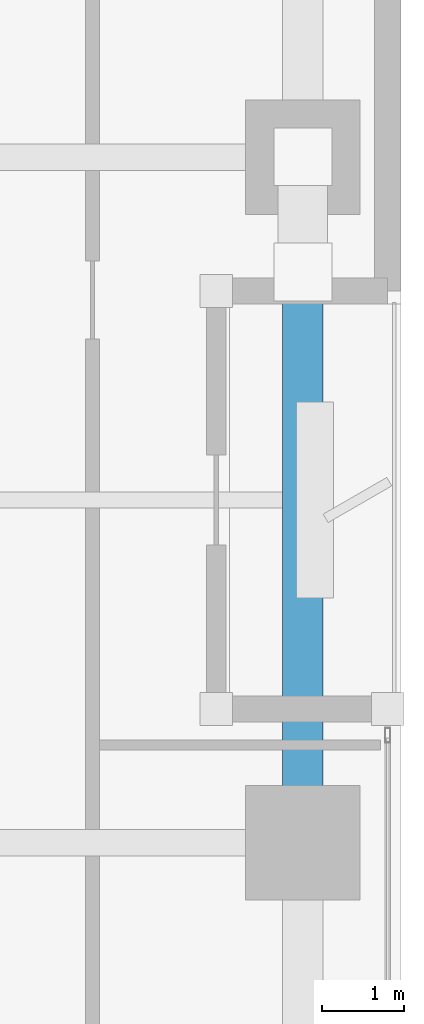
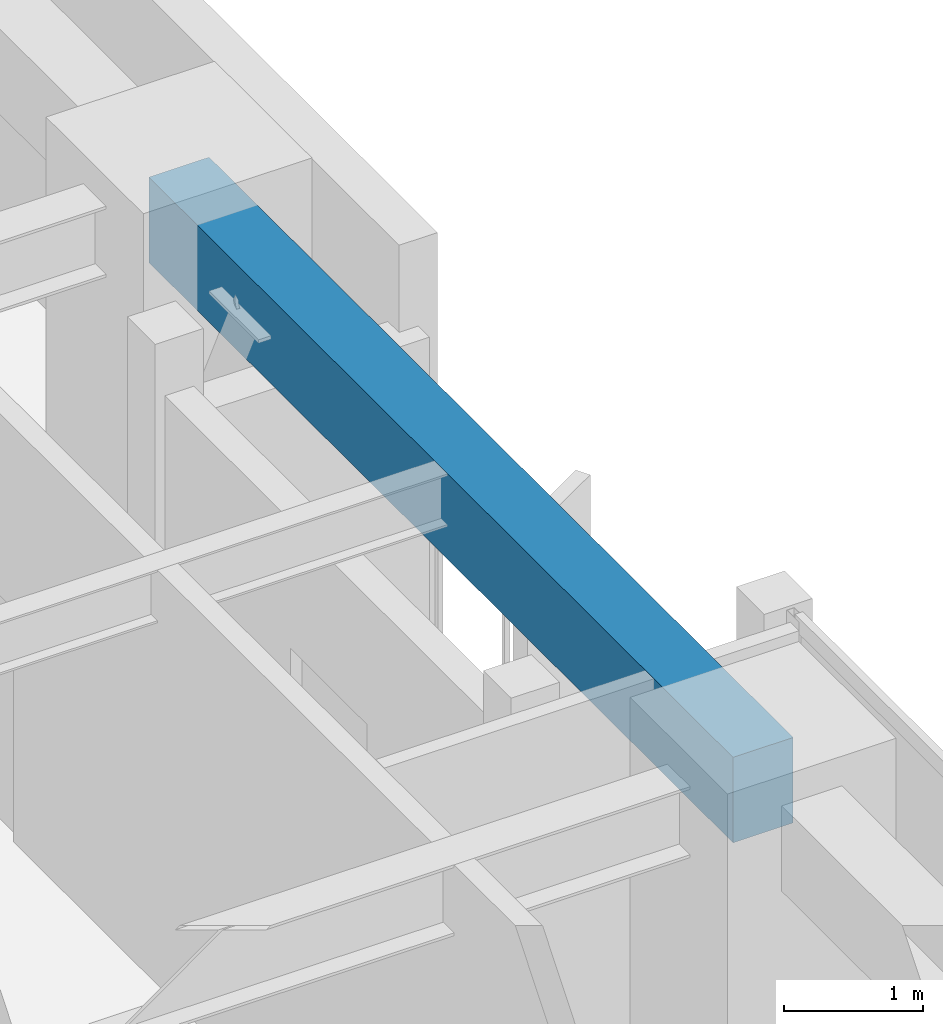
# One storey, part 7 of 24: 1 beam.
"""IFC4 building model written with IfcOpenShell, lengths in metres."""

from ifc_helpers import new_model, si_unit, direction, frame, origin, origin_2d, place, context, subcontext, project, spatial, rectangle, extrude, material, material_profile, profile_set, type_object, element, save


model = new_model("IFC4")

# Units and contexts
model_context = context("Model", 3, precision=1e-05, world=origin(), true_north=direction((0.0, 1.0)))
body_context = subcontext(model_context, "Body", "Model", "MODEL_VIEW")
ifc_project = project(units=[si_unit("LENGTHUNIT", "METRE"), si_unit("AREAUNIT", "SQUARE_METRE"), si_unit("VOLUMEUNIT", "CUBIC_METRE"), si_unit("PLANEANGLEUNIT", "RADIAN"), si_unit("MASSUNIT", "GRAM", prefix="KILO")], contexts=[model_context])

# Site, building, storey
site_placement = place(None, origin())
site = spatial("IfcSite", under=ifc_project, at=site_placement, CompositionType="ELEMENT")
building_placement = place(site_placement, origin())
building = spatial("IfcBuilding", under=site, at=building_placement, Name="Kiyonajd Concourse Tower", CompositionType="ELEMENT")
storey_placement = place(building_placement, frame((0.0, 0.0, 97.5)))
storey = spatial("IfcBuildingStorey", under=building, at=storey_placement, Name="L25", CompositionType="ELEMENT", Elevation=97.5)

# Beam
ifc_material = material(Name="Precast concrete C50/60", Category="concrete")
ifc_material_profile = material_profile(ifc_material, rectangle(XDim=0.5, YDim=0.75, at=origin_2d()), Name="RCBM-500x750")
ifc_profile_set = profile_set([ifc_material_profile], Name="Precast concrete C50/60")
beam_type = type_object("IfcBeamType", Name="BM-SPAN-RC", PredefinedType="SPANDREL", material=ifc_profile_set)
beam_placement = place(storey_placement, frame((69.60009765625, 36.0, 3.264892578125), z_axis=(0.0, 1.0, 0.0), x_axis=(-1.0, 0.0, 0.0)))
element("IfcBeam", 1, at=beam_placement, inside=storey, type_object=beam_type, Name="L25 Perimeter Bundled Tube Spandrel", PredefinedType="SPANDREL", context=body_context, shape_type="SweptSolid", body=[
    extrude(rectangle(XDim=0.5, YDim=0.75, at=origin_2d()), origin(), (0.0, 0.0, 1.0), 8.39990234375),
])

save(model, "model.ifc")
